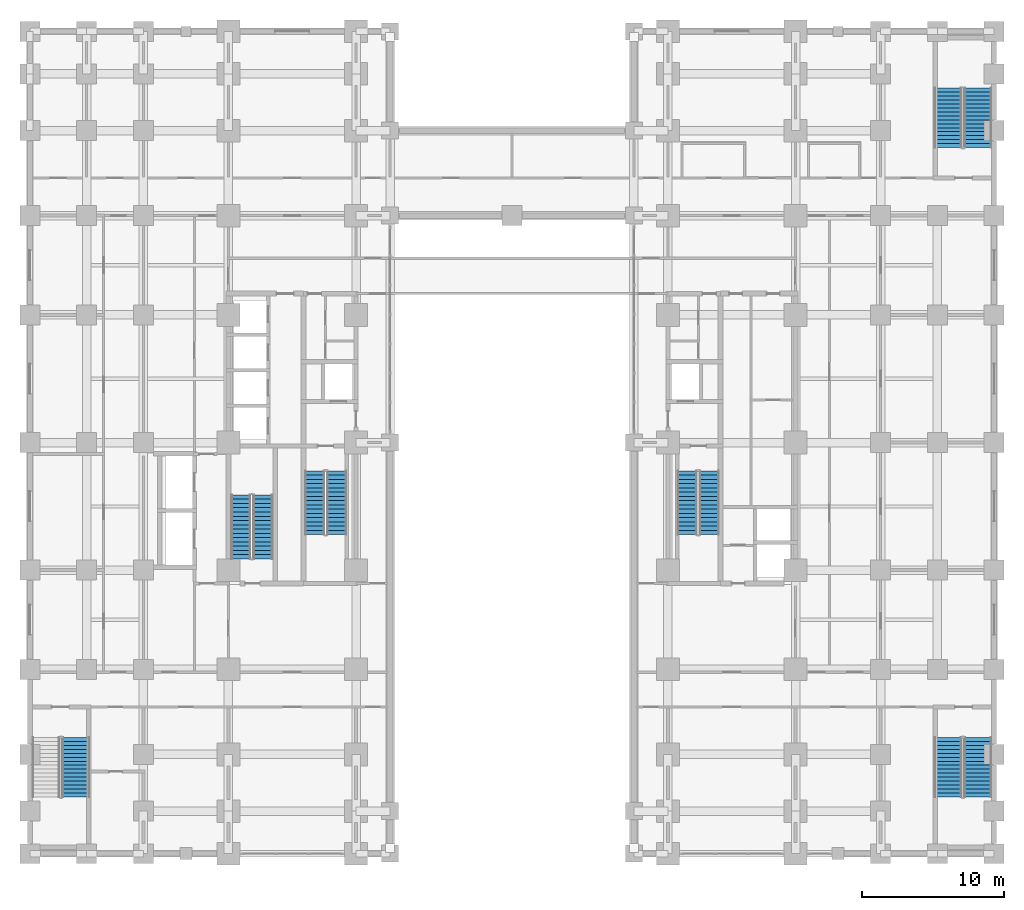
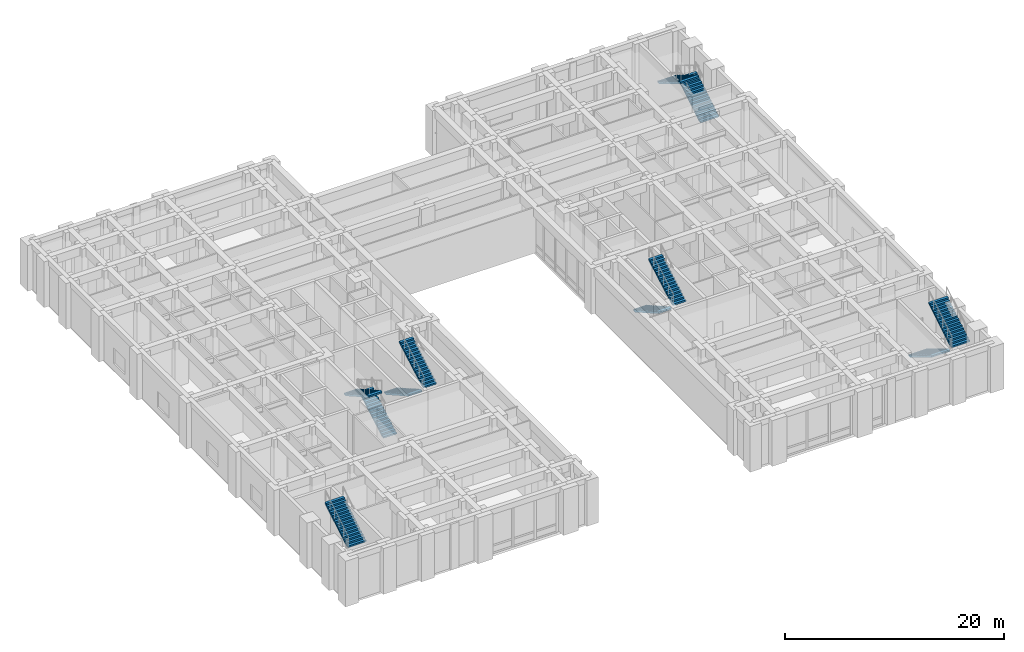
# One storey, part 15 of 21: 11 stair flights, 6 elements without a shape of their own.
"""IFC4 building model written with IfcOpenShell, lengths in metres."""

from ifc_helpers import new_model, si_unit, direction, frame, origin, place, context, subcontext, project, spatial, polyline, outline, extrude, material, layer, layer_set, type_object, element, aggregate, save


model = new_model("IFC4")

# Units and contexts
model_context = context("Model", 3, precision=1e-05, world=origin(), true_north=direction((0.0, 1.0)))
body_context = subcontext(model_context, "Body", "Model", "MODEL_VIEW")
ifc_project = project(units=[si_unit("LENGTHUNIT", "METRE"), si_unit("AREAUNIT", "SQUARE_METRE"), si_unit("VOLUMEUNIT", "CUBIC_METRE"), si_unit("PLANEANGLEUNIT", "RADIAN"), si_unit("MASSUNIT", "GRAM", prefix="KILO")], contexts=[model_context])

# Site, building, storey
site_placement = place(None, origin())
site = spatial("IfcSite", under=ifc_project, at=site_placement, CompositionType="ELEMENT")
building_placement = place(site_placement, origin())
building = spatial("IfcBuilding", under=site, at=building_placement, Name="Zulmaris Gate Convention Tower", CompositionType="ELEMENT")
storey_placement = place(building_placement, frame((0.0, 0.0, 5.43994140625)))
storey = spatial("IfcBuildingStorey", under=building, at=storey_placement, Name="L01", CompositionType="ELEMENT", Elevation=5.43994140625)

# Stair, stair flights
ifc_material = material(Name="Concrete C45/55", Category="concrete")
stair_type_1 = type_object("IfcStairType", Name="ST-CORE-DOGLEG", PredefinedType="HALF_TURN_STAIR", material=ifc_material)
stair_1_placement = place(storey_placement, origin())
stair_1 = element("IfcStair", 1, at=stair_1_placement, inside=storey, type_object=stair_type_1, Name="L01 Core Exit Stair ST-1", PredefinedType="HALF_TURN_STAIR")
ifc_layer_1 = layer(ifc_material, 0.14990234375, Name="Concrete C45/55")
ifc_layer_set_1 = layer_set([ifc_layer_1], Name="Concrete C45/55")
stair_flight_type_1 = type_object("IfcStairFlightType", Name="STF-RC150", PredefinedType="STRAIGHT", material=ifc_layer_set_1)
stair_flight_1_placement = place(storey_placement, frame((-13.919921875, -2.0, 0.0), z_axis=(0.0, 0.0, 1.0), x_axis=(0.0, -1.0, 0.0)))
stair_flight_1 = element("IfcStairFlight", 2, at=stair_flight_1_placement, type_object=stair_flight_type_1, Name="ST-1 flight 1", NumberOfRisers=16, NumberOfTreads=15, PredefinedType="STRAIGHT", RiserHeight=0.17, TreadLength=0.3, context=body_context, shape_type="SweptSolid", body=[
    extrude(outline(polyline([(0.0, 0.0), (0.0, 0.169921875), (0.300048828125, 0.169921875), (0.300048828125, 0.340087890625), (0.60009765625, 0.340087890625), (0.60009765625, 0.510009765625), (0.89990234375, 0.510009765625), (0.89990234375, 0.679931640625), (1.199951171875, 0.679931640625), (1.199951171875, 0.85009765625), (1.5, 0.85009765625), (1.5, 1.02001953125), (1.800048828125, 1.02001953125), (1.800048828125, 1.18994140625), (2.10009765625, 1.18994140625), (2.10009765625, 1.360107421875), (2.39990234375, 1.360107421875), (2.39990234375, 1.530029296875), (2.699951171875, 1.530029296875), (2.699951171875, 1.699951171875), (3.0, 1.699951171875), (3.0, 1.8701171875), (3.300048828125, 1.8701171875), (3.300048828125, 2.0400390625), (3.60009765625, 2.0400390625), (3.60009765625, 2.2099609375), (3.89990234375, 2.2099609375), (3.89990234375, 2.3798828125), (4.199951171875, 2.3798828125), (4.199951171875, 2.550048828125), (4.5, 2.550048828125), (4.5, 2.719970703125), (4.5, 2.377685546875), (0.303955078125, 0.0), (0.0, 0.0)])), frame((0.0, 0.699951171875, 0.0), z_axis=(0.0, -1.0, 0.0), x_axis=(1.0, 0.0, 0.0)), (0.0, 0.0, 1.0), 1.39990234375),
])
stair_flight_2_placement = place(storey_placement, frame((-12.360107421875, -6.5, 2.719970703125), z_axis=(0.0, 0.0, 1.0), x_axis=(0.0, 1.0, 0.0)))
stair_flight_2 = element("IfcStairFlight", 3, at=stair_flight_2_placement, type_object=stair_flight_type_1, Name="ST-1 flight 2", NumberOfRisers=16, NumberOfTreads=15, PredefinedType="STRAIGHT", RiserHeight=0.17, TreadLength=0.3, context=body_context, shape_type="SweptSolid", body=[
    extrude(outline(polyline([(0.0, 0.0), (0.0, 0.169921875), (0.300048828125, 0.169921875), (0.300048828125, 0.340087890625), (0.60009765625, 0.340087890625), (0.60009765625, 0.510009765625), (0.89990234375, 0.510009765625), (0.89990234375, 0.679931640625), (1.199951171875, 0.679931640625), (1.199951171875, 0.85009765625), (1.5, 0.85009765625), (1.5, 1.02001953125), (1.800048828125, 1.02001953125), (1.800048828125, 1.18994140625), (2.10009765625, 1.18994140625), (2.10009765625, 1.360107421875), (2.39990234375, 1.360107421875), (2.39990234375, 1.530029296875), (2.699951171875, 1.530029296875), (2.699951171875, 1.699951171875), (3.0, 1.699951171875), (3.0, 1.8701171875), (3.300048828125, 1.8701171875), (3.300048828125, 2.0400390625), (3.60009765625, 2.0400390625), (3.60009765625, 2.2099609375), (3.89990234375, 2.2099609375), (3.89990234375, 2.3798828125), (4.199951171875, 2.3798828125), (4.199951171875, 2.550048828125), (4.5, 2.550048828125), (4.5, 2.719970703125), (4.5, 2.377685546875), (0.303955078125, 0.0), (0.0, 0.0)])), frame((0.0, 0.699951171875, 0.0), z_axis=(0.0, -1.0, 0.0), x_axis=(1.0, 0.0, 0.0)), (0.0, 0.0, 1.0), 1.39990234375),
])
aggregate(stair_1, [stair_flight_1, stair_flight_2])

stair_2_placement = place(storey_placement, origin())
stair_2 = element("IfcStair", 4, at=stair_2_placement, inside=storey, type_object=stair_type_1, Name="L01 Core Exit Stair ST-2", PredefinedType="HALF_TURN_STAIR")
stair_flight_3_placement = place(storey_placement, frame((12.360107421875, -2.0, 0.0), z_axis=(0.0, 0.0, 1.0), x_axis=(0.0, -1.0, 0.0)))
stair_flight_3 = element("IfcStairFlight", 5, at=stair_flight_3_placement, type_object=stair_flight_type_1, Name="ST-2 flight 1", NumberOfRisers=16, NumberOfTreads=15, PredefinedType="STRAIGHT", RiserHeight=0.17, TreadLength=0.3, context=body_context, shape_type="SweptSolid", body=[
    extrude(outline(polyline([(0.0, 0.0), (0.0, 0.169921875), (0.300048828125, 0.169921875), (0.300048828125, 0.340087890625), (0.60009765625, 0.340087890625), (0.60009765625, 0.510009765625), (0.89990234375, 0.510009765625), (0.89990234375, 0.679931640625), (1.199951171875, 0.679931640625), (1.199951171875, 0.85009765625), (1.5, 0.85009765625), (1.5, 1.02001953125), (1.800048828125, 1.02001953125), (1.800048828125, 1.18994140625), (2.10009765625, 1.18994140625), (2.10009765625, 1.360107421875), (2.39990234375, 1.360107421875), (2.39990234375, 1.530029296875), (2.699951171875, 1.530029296875), (2.699951171875, 1.699951171875), (3.0, 1.699951171875), (3.0, 1.8701171875), (3.300048828125, 1.8701171875), (3.300048828125, 2.0400390625), (3.60009765625, 2.0400390625), (3.60009765625, 2.2099609375), (3.89990234375, 2.2099609375), (3.89990234375, 2.3798828125), (4.199951171875, 2.3798828125), (4.199951171875, 2.550048828125), (4.5, 2.550048828125), (4.5, 2.719970703125), (4.5, 2.377685546875), (0.303955078125, 0.0), (0.0, 0.0)])), frame((0.0, 0.699951171875, 0.0), z_axis=(0.0, -1.0, 0.0), x_axis=(1.0, 0.0, 0.0)), (0.0, 0.0, 1.0), 1.39990234375),
])
stair_flight_4_placement = place(storey_placement, frame((13.919921875, -6.5, 2.719970703125), z_axis=(0.0, 0.0, 1.0), x_axis=(0.0, 1.0, 0.0)))
stair_flight_4 = element("IfcStairFlight", 6, at=stair_flight_4_placement, type_object=stair_flight_type_1, Name="ST-2 flight 2", NumberOfRisers=16, NumberOfTreads=15, PredefinedType="STRAIGHT", RiserHeight=0.17, TreadLength=0.3, context=body_context, shape_type="SweptSolid", body=[
    extrude(outline(polyline([(0.0, 0.0), (0.0, 0.169921875), (0.300048828125, 0.169921875), (0.300048828125, 0.340087890625), (0.60009765625, 0.340087890625), (0.60009765625, 0.510009765625), (0.89990234375, 0.510009765625), (0.89990234375, 0.679931640625), (1.199951171875, 0.679931640625), (1.199951171875, 0.85009765625), (1.5, 0.85009765625), (1.5, 1.02001953125), (1.800048828125, 1.02001953125), (1.800048828125, 1.18994140625), (2.10009765625, 1.18994140625), (2.10009765625, 1.360107421875), (2.39990234375, 1.360107421875), (2.39990234375, 1.530029296875), (2.699951171875, 1.530029296875), (2.699951171875, 1.699951171875), (3.0, 1.699951171875), (3.0, 1.8701171875), (3.300048828125, 1.8701171875), (3.300048828125, 2.0400390625), (3.60009765625, 2.0400390625), (3.60009765625, 2.2099609375), (3.89990234375, 2.2099609375), (3.89990234375, 2.3798828125), (4.199951171875, 2.3798828125), (4.199951171875, 2.550048828125), (4.5, 2.550048828125), (4.5, 2.719970703125), (4.5, 2.377685546875), (0.303955078125, 0.0), (0.0, 0.0)])), frame((0.0, 0.699951171875, 0.0), z_axis=(0.0, -1.0, 0.0), x_axis=(1.0, 0.0, 0.0)), (0.0, 0.0, 1.0), 1.39990234375),
])
aggregate(stair_2, [stair_flight_3, stair_flight_4])

stair_3_placement = place(storey_placement, origin())
stair_3 = element("IfcStair", 7, at=stair_3_placement, inside=storey, type_object=stair_type_1, Name="L01 Core Exit Stair ST-3", PredefinedType="HALF_TURN_STAIR")
stair_flight_5_placement = place(storey_placement, frame((-17.56005859375, -8.199951171875, 0.0), z_axis=(0.0, 0.0, 1.0), x_axis=(0.0, 1.0, 0.0)))
stair_flight_5 = element("IfcStairFlight", 8, at=stair_flight_5_placement, type_object=stair_flight_type_1, Name="ST-3 flight 1", NumberOfRisers=16, NumberOfTreads=15, PredefinedType="STRAIGHT", RiserHeight=0.17, TreadLength=0.3, context=body_context, shape_type="SweptSolid", body=[
    extrude(outline(polyline([(0.0, 0.0), (0.0, 0.169921875), (0.300048828125, 0.169921875), (0.300048828125, 0.340087890625), (0.60009765625, 0.340087890625), (0.60009765625, 0.510009765625), (0.89990234375, 0.510009765625), (0.89990234375, 0.679931640625), (1.199951171875, 0.679931640625), (1.199951171875, 0.85009765625), (1.5, 0.85009765625), (1.5, 1.02001953125), (1.800048828125, 1.02001953125), (1.800048828125, 1.18994140625), (2.10009765625, 1.18994140625), (2.10009765625, 1.360107421875), (2.39990234375, 1.360107421875), (2.39990234375, 1.530029296875), (2.699951171875, 1.530029296875), (2.699951171875, 1.699951171875), (3.0, 1.699951171875), (3.0, 1.8701171875), (3.300048828125, 1.8701171875), (3.300048828125, 2.0400390625), (3.60009765625, 2.0400390625), (3.60009765625, 2.2099609375), (3.89990234375, 2.2099609375), (3.89990234375, 2.3798828125), (4.199951171875, 2.3798828125), (4.199951171875, 2.550048828125), (4.5, 2.550048828125), (4.5, 2.719970703125), (4.5, 2.377685546875), (0.303955078125, 0.0), (0.0, 0.0)])), frame((0.0, 0.699951171875, 0.0), z_axis=(0.0, -1.0, 0.0), x_axis=(1.0, 0.0, 0.0)), (0.0, 0.0, 1.0), 1.39990234375),
])
stair_flight_6_placement = place(storey_placement, frame((-19.1201171875, -3.699951171875, 2.719970703125), z_axis=(0.0, 0.0, 1.0), x_axis=(0.0, -1.0, 0.0)))
stair_flight_6 = element("IfcStairFlight", 9, at=stair_flight_6_placement, type_object=stair_flight_type_1, Name="ST-3 flight 2", NumberOfRisers=16, NumberOfTreads=15, PredefinedType="STRAIGHT", RiserHeight=0.17, TreadLength=0.3, context=body_context, shape_type="SweptSolid", body=[
    extrude(outline(polyline([(0.0, 0.0), (0.0, 0.169921875), (0.300048828125, 0.169921875), (0.300048828125, 0.340087890625), (0.60009765625, 0.340087890625), (0.60009765625, 0.510009765625), (0.89990234375, 0.510009765625), (0.89990234375, 0.679931640625), (1.199951171875, 0.679931640625), (1.199951171875, 0.85009765625), (1.5, 0.85009765625), (1.5, 1.02001953125), (1.800048828125, 1.02001953125), (1.800048828125, 1.18994140625), (2.10009765625, 1.18994140625), (2.10009765625, 1.360107421875), (2.39990234375, 1.360107421875), (2.39990234375, 1.530029296875), (2.699951171875, 1.530029296875), (2.699951171875, 1.699951171875), (3.0, 1.699951171875), (3.0, 1.8701171875), (3.300048828125, 1.8701171875), (3.300048828125, 2.0400390625), (3.60009765625, 2.0400390625), (3.60009765625, 2.2099609375), (3.89990234375, 2.2099609375), (3.89990234375, 2.3798828125), (4.199951171875, 2.3798828125), (4.199951171875, 2.550048828125), (4.5, 2.550048828125), (4.5, 2.719970703125), (4.5, 2.377685546875), (0.303955078125, 0.0), (0.0, 0.0)])), frame((0.0, 0.699951171875, 0.0), z_axis=(0.0, -1.0, 0.0), x_axis=(1.0, 0.0, 0.0)), (0.0, 0.0, 1.0), 1.39990234375),
])
aggregate(stair_3, [stair_flight_5, stair_flight_6])

# Stair, stair flight
stair_type_2 = type_object("IfcStairType", Name="ST-POD-DOGLEG", PredefinedType="HALF_TURN_STAIR", material=ifc_material)
stair_4_placement = place(storey_placement, origin())
stair_4 = element("IfcStair", 10, at=stair_4_placement, inside=storey, type_object=stair_type_2, Name="L01 Podium Exit Stair ST-4", PredefinedType="HALF_TURN_STAIR")
ifc_layer_2 = layer(ifc_material, 0.159912109375, Name="Concrete C45/55")
ifc_layer_set_2 = layer_set([ifc_layer_2], Name="Concrete C45/55")
stair_flight_type_2 = type_object("IfcStairFlightType", Name="STF-RC195", PredefinedType="STRAIGHT", material=ifc_layer_set_2)
stair_flight_7_placement = place(storey_placement, frame((-30.7548828125, -25.0, 2.719970703125), z_axis=(0.0, 0.0, 1.0), x_axis=(0.0, 1.0, 0.0)))
stair_flight_7 = element("IfcStairFlight", 11, at=stair_flight_7_placement, type_object=stair_flight_type_2, Name="ST-4 flight 2", NumberOfRisers=16, NumberOfTreads=15, PredefinedType="STRAIGHT", RiserHeight=0.17, TreadLength=0.28, context=body_context, shape_type="SweptSolid", body=[
    extrude(outline(polyline([(0.0, 0.0), (0.0, 0.169921875), (0.280029296875, 0.169921875), (0.280029296875, 0.340087890625), (0.56005859375, 0.340087890625), (0.56005859375, 0.510009765625), (0.840087890625, 0.510009765625), (0.840087890625, 0.679931640625), (1.1201171875, 0.679931640625), (1.1201171875, 0.85009765625), (1.39990234375, 0.85009765625), (1.39990234375, 1.02001953125), (1.679931640625, 1.02001953125), (1.679931640625, 1.18994140625), (1.9599609375, 1.18994140625), (1.9599609375, 1.360107421875), (2.239990234375, 1.360107421875), (2.239990234375, 1.530029296875), (2.52001953125, 1.530029296875), (2.52001953125, 1.699951171875), (2.800048828125, 1.699951171875), (2.800048828125, 1.8701171875), (3.080078125, 1.8701171875), (3.080078125, 2.0400390625), (3.360107421875, 2.0400390625), (3.360107421875, 2.2099609375), (3.639892578125, 2.2099609375), (3.639892578125, 2.3798828125), (3.919921875, 2.3798828125), (3.919921875, 2.550048828125), (4.199951171875, 2.550048828125), (4.199951171875, 2.719970703125), (4.199951171875, 2.37451171875), (0.288818359375, 0.0), (0.0, 0.0)])), frame((0.0, 0.97509765625, 0.0), z_axis=(0.0, -1.0, 0.0), x_axis=(1.0, 0.0, 0.0)), (0.0, 0.0, 1.0), 1.949951171875),
])
aggregate(stair_4, [stair_flight_7])

# Stair, stair flights
stair_5_placement = place(storey_placement, origin())
stair_5 = element("IfcStair", 12, at=stair_5_placement, inside=storey, type_object=stair_type_2, Name="L01 Podium Exit Stair ST-5", PredefinedType="HALF_TURN_STAIR")
stair_flight_8_placement = place(storey_placement, frame((32.85498046875, 20.800048828125, 0.0), z_axis=(0.0, 0.0, 1.0), x_axis=(0.0, 1.0, 0.0)))
stair_flight_8 = element("IfcStairFlight", 13, at=stair_flight_8_placement, type_object=stair_flight_type_2, Name="ST-5 flight 1", NumberOfRisers=16, NumberOfTreads=15, PredefinedType="STRAIGHT", RiserHeight=0.17, TreadLength=0.28, context=body_context, shape_type="SweptSolid", body=[
    extrude(outline(polyline([(0.0, 0.0), (0.0, 0.169921875), (0.280029296875, 0.169921875), (0.280029296875, 0.340087890625), (0.56005859375, 0.340087890625), (0.56005859375, 0.510009765625), (0.840087890625, 0.510009765625), (0.840087890625, 0.679931640625), (1.1201171875, 0.679931640625), (1.1201171875, 0.85009765625), (1.39990234375, 0.85009765625), (1.39990234375, 1.02001953125), (1.679931640625, 1.02001953125), (1.679931640625, 1.18994140625), (1.9599609375, 1.18994140625), (1.9599609375, 1.360107421875), (2.239990234375, 1.360107421875), (2.239990234375, 1.530029296875), (2.52001953125, 1.530029296875), (2.52001953125, 1.699951171875), (2.800048828125, 1.699951171875), (2.800048828125, 1.8701171875), (3.080078125, 1.8701171875), (3.080078125, 2.0400390625), (3.360107421875, 2.0400390625), (3.360107421875, 2.2099609375), (3.639892578125, 2.2099609375), (3.639892578125, 2.3798828125), (3.919921875, 2.3798828125), (3.919921875, 2.550048828125), (4.199951171875, 2.550048828125), (4.199951171875, 2.719970703125), (4.199951171875, 2.37451171875), (0.288818359375, 0.0), (0.0, 0.0)])), frame((0.0, 0.97509765625, 0.0), z_axis=(0.0, -1.0, 0.0), x_axis=(1.0, 0.0, 0.0)), (0.0, 0.0, 1.0), 1.949951171875),
])
stair_flight_9_placement = place(storey_placement, frame((30.7548828125, 25.0, 2.719970703125), z_axis=(0.0, 0.0, 1.0), x_axis=(0.0, -1.0, 0.0)))
stair_flight_9 = element("IfcStairFlight", 14, at=stair_flight_9_placement, type_object=stair_flight_type_2, Name="ST-5 flight 2", NumberOfRisers=16, NumberOfTreads=15, PredefinedType="STRAIGHT", RiserHeight=0.17, TreadLength=0.28, context=body_context, shape_type="SweptSolid", body=[
    extrude(outline(polyline([(0.0, 0.0), (0.0, 0.169921875), (0.280029296875, 0.169921875), (0.280029296875, 0.340087890625), (0.56005859375, 0.340087890625), (0.56005859375, 0.510009765625), (0.840087890625, 0.510009765625), (0.840087890625, 0.679931640625), (1.1201171875, 0.679931640625), (1.1201171875, 0.85009765625), (1.39990234375, 0.85009765625), (1.39990234375, 1.02001953125), (1.679931640625, 1.02001953125), (1.679931640625, 1.18994140625), (1.9599609375, 1.18994140625), (1.9599609375, 1.360107421875), (2.239990234375, 1.360107421875), (2.239990234375, 1.530029296875), (2.52001953125, 1.530029296875), (2.52001953125, 1.699951171875), (2.800048828125, 1.699951171875), (2.800048828125, 1.8701171875), (3.080078125, 1.8701171875), (3.080078125, 2.0400390625), (3.360107421875, 2.0400390625), (3.360107421875, 2.2099609375), (3.639892578125, 2.2099609375), (3.639892578125, 2.3798828125), (3.919921875, 2.3798828125), (3.919921875, 2.550048828125), (4.199951171875, 2.550048828125), (4.199951171875, 2.719970703125), (4.199951171875, 2.37451171875), (0.288818359375, 0.0), (0.0, 0.0)])), frame((0.0, 0.97509765625, 0.0), z_axis=(0.0, -1.0, 0.0), x_axis=(1.0, 0.0, 0.0)), (0.0, 0.0, 1.0), 1.949951171875),
])
aggregate(stair_5, [stair_flight_8, stair_flight_9])

stair_6_placement = place(storey_placement, origin())
stair_6 = element("IfcStair", 15, at=stair_6_placement, inside=storey, type_object=stair_type_2, Name="L01 Podium Exit Stair ST-6", PredefinedType="HALF_TURN_STAIR")
stair_flight_10_placement = place(storey_placement, frame((30.7548828125, -20.800048828125, 0.0), z_axis=(0.0, 0.0, 1.0), x_axis=(0.0, -1.0, 0.0)))
stair_flight_10 = element("IfcStairFlight", 16, at=stair_flight_10_placement, type_object=stair_flight_type_2, Name="ST-6 flight 1", NumberOfRisers=16, NumberOfTreads=15, PredefinedType="STRAIGHT", RiserHeight=0.17, TreadLength=0.28, context=body_context, shape_type="SweptSolid", body=[
    extrude(outline(polyline([(0.0, 0.0), (0.0, 0.169921875), (0.280029296875, 0.169921875), (0.280029296875, 0.340087890625), (0.56005859375, 0.340087890625), (0.56005859375, 0.510009765625), (0.840087890625, 0.510009765625), (0.840087890625, 0.679931640625), (1.1201171875, 0.679931640625), (1.1201171875, 0.85009765625), (1.39990234375, 0.85009765625), (1.39990234375, 1.02001953125), (1.679931640625, 1.02001953125), (1.679931640625, 1.18994140625), (1.9599609375, 1.18994140625), (1.9599609375, 1.360107421875), (2.239990234375, 1.360107421875), (2.239990234375, 1.530029296875), (2.52001953125, 1.530029296875), (2.52001953125, 1.699951171875), (2.800048828125, 1.699951171875), (2.800048828125, 1.8701171875), (3.080078125, 1.8701171875), (3.080078125, 2.0400390625), (3.360107421875, 2.0400390625), (3.360107421875, 2.2099609375), (3.639892578125, 2.2099609375), (3.639892578125, 2.3798828125), (3.919921875, 2.3798828125), (3.919921875, 2.550048828125), (4.199951171875, 2.550048828125), (4.199951171875, 2.719970703125), (4.199951171875, 2.37451171875), (0.288818359375, 0.0), (0.0, 0.0)])), frame((0.0, 0.97509765625, 0.0), z_axis=(0.0, -1.0, 0.0), x_axis=(1.0, 0.0, 0.0)), (0.0, 0.0, 1.0), 1.949951171875),
])
stair_flight_11_placement = place(storey_placement, frame((32.85498046875, -25.0, 2.719970703125), z_axis=(0.0, 0.0, 1.0), x_axis=(0.0, 1.0, 0.0)))
stair_flight_11 = element("IfcStairFlight", 17, at=stair_flight_11_placement, type_object=stair_flight_type_2, Name="ST-6 flight 2", NumberOfRisers=16, NumberOfTreads=15, PredefinedType="STRAIGHT", RiserHeight=0.17, TreadLength=0.28, context=body_context, shape_type="SweptSolid", body=[
    extrude(outline(polyline([(0.0, 0.0), (0.0, 0.169921875), (0.280029296875, 0.169921875), (0.280029296875, 0.340087890625), (0.56005859375, 0.340087890625), (0.56005859375, 0.510009765625), (0.840087890625, 0.510009765625), (0.840087890625, 0.679931640625), (1.1201171875, 0.679931640625), (1.1201171875, 0.85009765625), (1.39990234375, 0.85009765625), (1.39990234375, 1.02001953125), (1.679931640625, 1.02001953125), (1.679931640625, 1.18994140625), (1.9599609375, 1.18994140625), (1.9599609375, 1.360107421875), (2.239990234375, 1.360107421875), (2.239990234375, 1.530029296875), (2.52001953125, 1.530029296875), (2.52001953125, 1.699951171875), (2.800048828125, 1.699951171875), (2.800048828125, 1.8701171875), (3.080078125, 1.8701171875), (3.080078125, 2.0400390625), (3.360107421875, 2.0400390625), (3.360107421875, 2.2099609375), (3.639892578125, 2.2099609375), (3.639892578125, 2.3798828125), (3.919921875, 2.3798828125), (3.919921875, 2.550048828125), (4.199951171875, 2.550048828125), (4.199951171875, 2.719970703125), (4.199951171875, 2.37451171875), (0.288818359375, 0.0), (0.0, 0.0)])), frame((0.0, 0.97509765625, 0.0), z_axis=(0.0, -1.0, 0.0), x_axis=(1.0, 0.0, 0.0)), (0.0, 0.0, 1.0), 1.949951171875),
])
aggregate(stair_6, [stair_flight_10, stair_flight_11])

save(model, "model.ifc")
